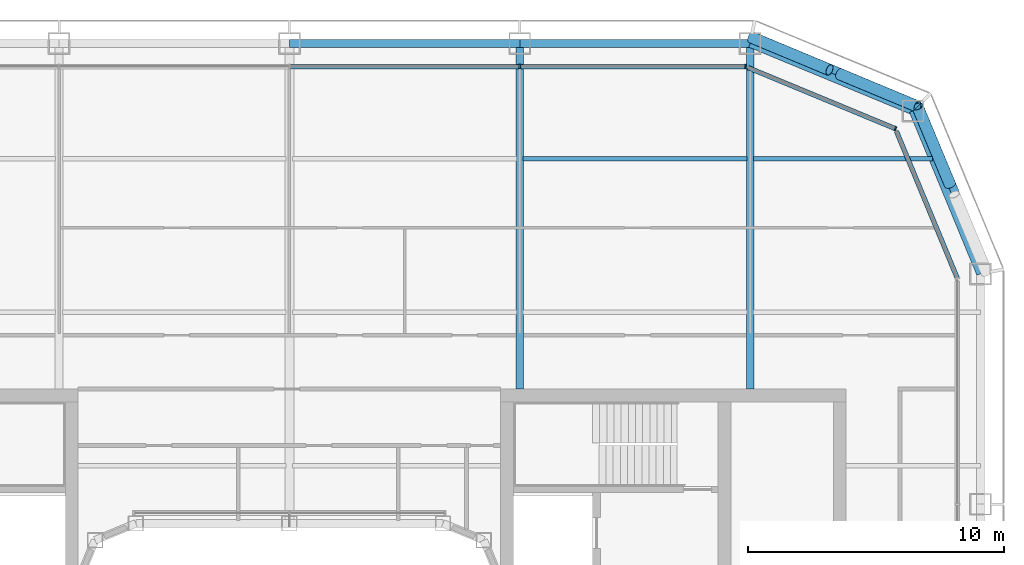
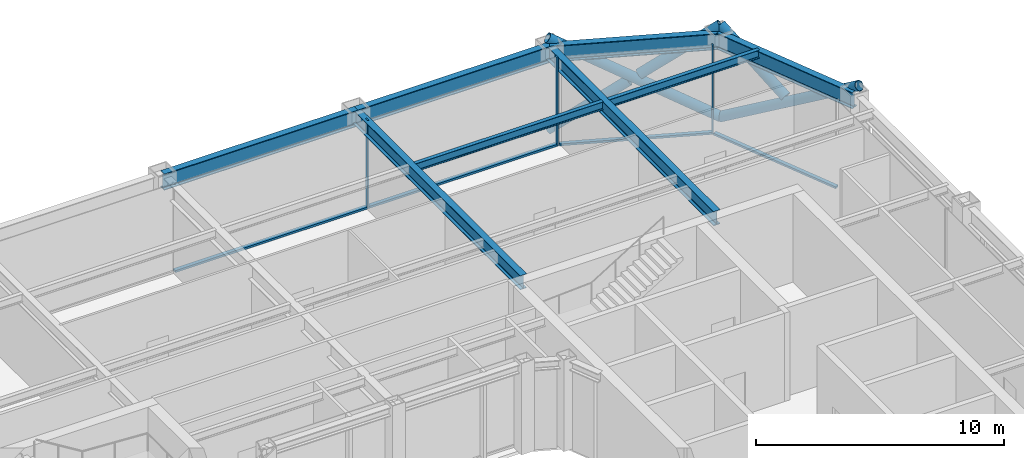
# One storey, part 10 of 19: 12 members, 8 beams, 3 elements without a shape of their own.
"""IFC4 building model written with IfcOpenShell, lengths in metres."""

from ifc_helpers import new_model, si_unit, direction, frame, origin, origin_2d, place, context, subcontext, project, spatial, rectangle, hollow_circle, i_section, extrude, material, layer, layer_set, material_profile, profile_set, type_object, element, aggregate, save


model = new_model("IFC4")

# Units and contexts
model_context = context("Model", 3, precision=1e-05, world=origin(), true_north=direction((0.0, 1.0)))
body_context = subcontext(model_context, "Body", "Model", "MODEL_VIEW")
ifc_project = project(units=[si_unit("LENGTHUNIT", "METRE"), si_unit("AREAUNIT", "SQUARE_METRE"), si_unit("VOLUMEUNIT", "CUBIC_METRE"), si_unit("PLANEANGLEUNIT", "RADIAN"), si_unit("MASSUNIT", "GRAM", prefix="KILO")], contexts=[model_context])

# Site, building, storey
site_placement = place(None, origin())
site = spatial("IfcSite", under=ifc_project, at=site_placement, CompositionType="ELEMENT")
building_placement = place(site_placement, origin())
building = spatial("IfcBuilding", under=site, at=building_placement, Name="Siwar Civic Tower", CompositionType="ELEMENT")
storey_placement = place(building_placement, frame((0.0, 0.0, 192.699951171875)))
storey = spatial("IfcBuildingStorey", under=building, at=storey_placement, Name="L41", CompositionType="ELEMENT", Elevation=192.699951171875)

# Curtain wall, member
ifc_material_1 = material(Name="Aluminium clad insulated panel", Category="aluminium")
ifc_layer_1 = layer(ifc_material_1, 0.179931640625)
ifc_layer_set_1 = layer_set([ifc_layer_1], Name="Aluminium clad insulated panel")
curtain_wall_type_1 = type_object("IfcCurtainWallType", Name="ENV-CW-CX", PredefinedType="NOTDEFINED", material=ifc_layer_set_1)
curtain_wall_1_placement = place(storey_placement, origin())
curtain_wall_1 = element("IfcCurtainWall", 1, at=curtain_wall_1_placement, inside=storey, type_object=curtain_wall_type_1, Name="Curtain wall C NE2", PredefinedType="NOTDEFINED")
ifc_material_2 = material(Name="Aluminium 6063-T6", Category="aluminium")
ifc_material_profile_1 = material_profile(ifc_material_2, rectangle(XDim=0.179931640625, YDim=0.06005859375, at=origin_2d()), Name="AL 180x60")
ifc_profile_set_1 = profile_set([ifc_material_profile_1], Name="Aluminium 6063-T6")
member_type_1 = type_object("IfcMemberType", Name="ENV-MULLION-C", PredefinedType="MULLION", material=ifc_profile_set_1)
member_1_placement = place(storey_placement, frame((23.675048828125, 23.675048828125, 0.0), z_axis=(0.0, 0.0, 1.0), x_axis=(-0.382683432365, -0.923879532511, 0.0)))
member_1 = element("IfcMember", 2, at=member_1_placement, type_object=member_type_1, Name="Mullion C NE2 1", PredefinedType="MULLION", context=body_context, shape_type="SweptSolid", body=[
    extrude(rectangle(XDim=0.179931640625, YDim=0.06005859375, at=origin_2d()), origin(), (0.0, 0.0, 1.0), 4.35009765625),
])

# Curtain wall, members
ifc_material_3 = material(Name="Aluminium and glass", Category="aluminium")
ifc_layer_2 = layer(ifc_material_3, 0.179931640625)
ifc_layer_set_2 = layer_set([ifc_layer_2], Name="Aluminium and glass")
curtain_wall_type_2 = type_object("IfcCurtainWallType", Name="ENV-CW-C", PredefinedType="NOTDEFINED", material=ifc_layer_set_2)
curtain_wall_2_placement = place(storey_placement, origin())
curtain_wall_2 = element("IfcCurtainWall", 3, at=curtain_wall_2_placement, inside=storey, type_object=curtain_wall_type_2, Name="Curtain wall C N", PredefinedType="NOTDEFINED")
member_2_placement = place(storey_placement, frame((17.821044921875, 26.10009765625, 0.0), z_axis=(0.0, 0.0, 1.0), x_axis=(0.0, -1.0, 0.0)))
member_2 = element("IfcMember", 4, at=member_2_placement, type_object=member_type_1, Name="Mullion C N 1", PredefinedType="MULLION", context=body_context, shape_type="SweptSolid", body=[
    extrude(rectangle(XDim=0.179931640625, YDim=0.06005859375, at=origin_2d()), origin(), (0.0, 0.0, 1.0), 4.35009765625),
])
member_3_placement = place(storey_placement, frame((9.0, 26.10009765625, 0.0), z_axis=(0.0, 0.0, 1.0), x_axis=(0.0, -1.0, 0.0)))
member_3 = element("IfcMember", 5, at=member_3_placement, type_object=member_type_1, Name="Mullion C N 2", PredefinedType="MULLION", context=body_context, shape_type="SweptSolid", body=[
    extrude(rectangle(XDim=0.179931640625, YDim=0.06005859375, at=origin_2d()), origin(), (0.0, 0.0, 1.0), 4.35009765625),
])

# Curtain wall, member
curtain_wall_3_placement = place(storey_placement, origin())
curtain_wall_3 = element("IfcCurtainWall", 6, at=curtain_wall_3_placement, inside=storey, type_object=curtain_wall_type_1, Name="Curtain wall C NE1", PredefinedType="NOTDEFINED")
ifc_material_4 = material(Name="Aluminium 6063-T6", Category="aluminium")
ifc_material_profile_2 = material_profile(ifc_material_4, rectangle(XDim=0.179931640625, YDim=0.10009765625, at=origin_2d()), Name="AL 180x100")
ifc_profile_set_2 = profile_set([ifc_material_profile_2], Name="Aluminium 6063-T6")
member_type_2 = type_object("IfcMemberType", Name="ENV-TRANSOM-C", PredefinedType="USERDEFINED", material=ifc_profile_set_2)
member_4_placement = place(storey_placement, frame((26.088623046875, 17.8486328125, 0.050048828125), z_axis=(-0.38267744817, 0.923882011223, 0.0), x_axis=(-0.923882011223, -0.38267744817, 0.0)))
member_4 = element("IfcMember", 7, at=member_4_placement, type_object=member_type_2, Name="Transom C NE1 1", ObjectType="TRANSOM", PredefinedType="USERDEFINED", context=body_context, shape_type="SweptSolid", body=[
    extrude(rectangle(XDim=0.179931640625, YDim=0.10009765625, at=origin_2d()), origin(), (0.0, 0.0, 1.0), 6.201904296875),
])
aggregate(curtain_wall_3, [member_4])

# Member
member_5_placement = place(storey_placement, frame((23.6474609375, 23.6865234375, 0.050048828125), z_axis=(-0.923876246063, 0.382691366456, 0.0), x_axis=(-0.382691366456, -0.923876246063, 0.0)))
member_5 = element("IfcMember", 8, at=member_5_placement, type_object=member_type_2, Name="Transom C NE2 1", ObjectType="TRANSOM", PredefinedType="USERDEFINED", context=body_context, shape_type="SweptSolid", body=[
    extrude(rectangle(XDim=0.179931640625, YDim=0.10009765625, at=origin_2d()), origin(), (0.0, 0.0, 1.0), 6.20166015625),
])

aggregate(curtain_wall_1, [member_1, member_5])

member_6_placement = place(storey_placement, frame((17.791015625, 26.10009765625, 0.050048828125), z_axis=(-1.0, 0.0, 0.0), x_axis=(0.0, -1.0, 0.0)))
member_6 = element("IfcMember", 9, at=member_6_placement, type_object=member_type_2, Name="Transom C N 1", ObjectType="TRANSOM", PredefinedType="USERDEFINED", context=body_context, shape_type="SweptSolid", body=[
    extrude(rectangle(XDim=0.179931640625, YDim=0.10009765625, at=origin_2d()), origin(), (0.0, 0.0, 1.0), 8.760986328125),
])

member_7_placement = place(storey_placement, frame((8.969970703125, 26.10009765625, 0.050048828125), z_axis=(-1.0, 0.0, 0.0), x_axis=(0.0, -1.0, 0.0)))
member_7 = element("IfcMember", 10, at=member_7_placement, type_object=member_type_2, Name="Transom C N 2", ObjectType="TRANSOM", PredefinedType="USERDEFINED", context=body_context, shape_type="SweptSolid", body=[
    extrude(rectangle(XDim=0.179931640625, YDim=0.10009765625, at=origin_2d()), origin(), (0.0, 0.0, 1.0), 8.93994140625),
])

aggregate(curtain_wall_2, [member_2, member_3, member_6, member_7])

# Members
ifc_material_5 = material(Name="Steel S355", Category="steel")
ifc_material_profile_3 = material_profile(ifc_material_5, hollow_circle(Radius=0.228515625, WallThickness=0.02001953125, at=origin_2d()), Name="CHS457x20")
ifc_profile_set_3 = profile_set([ifc_material_profile_3], Name="Steel S355")
member_type_3 = type_object("IfcMemberType", Name="STR-BR-CHS457x20", PredefinedType="BRACE", material=ifc_profile_set_3)
member_8_placement = place(storey_placement, frame((24.540771484375, 24.540771484375, 0.0), z_axis=(-0.777554562952, 0.323905527954, 0.538975055633), x_axis=(-0.384538969033, -0.923108759191, 0.0)))
element("IfcMember", 11, at=member_8_placement, inside=storey, type_object=member_type_3, Name="L41/brc/CNE1-1-0-1", PredefinedType="BRACE", context=body_context, shape_type="SweptSolid", body=[
    extrude(hollow_circle(Radius=0.228515625, WallThickness=0.02001953125, at=origin_2d()), origin(), (0.0, 0.0, 1.0), 8.34912109375),
])
for number, where, z_axis, x_axis, name in (
    (12, (18.048828125, 27.2451171875, 0.0), (0.777546448489, -0.323884455881, 0.538999424564), (0.38452107079, 0.92311621485, 0.0), "L41/brc/CNE1-1-0-2"),
    (13, (21.486572265625, 25.81298828125, 2.383056640625), (0.777572496853, -0.323895306243, 0.538955325357), (0.38452107079, 0.92311621485, 0.0), "L41/brc/CNE1-1-0-3"),
):
    element("IfcMember", number, at=place(storey_placement, frame(where, z_axis=z_axis, x_axis=x_axis)), inside=storey, type_object=member_type_3, Name=name, PredefinedType="BRACE", context=body_context, shape_type="SweptSolid", body=[
        extrude(hollow_circle(Radius=0.228515625, WallThickness=0.02001953125, at=origin_2d()), origin(), (0.0, 0.0, 1.0), 3.927978515625),
    ])
member_9_placement = place(storey_placement, frame((24.540771484375, 24.540771484375, 0.0), z_axis=(0.323905527954, -0.777554562952, 0.538975055633), x_axis=(0.923108759191, 0.384538969033, 0.0)))
element("IfcMember", 14, at=member_9_placement, inside=storey, type_object=member_type_3, Name="L41/brc/CNE1-1-0-0", PredefinedType="BRACE", context=body_context, shape_type="SweptSolid", body=[
    extrude(hollow_circle(Radius=0.228515625, WallThickness=0.02001953125, at=origin_2d()), origin(), (0.0, 0.0, 1.0), 8.34912109375),
])
member_10_placement = place(storey_placement, frame((25.81298828125, 21.486572265625, 2.383056640625), z_axis=(-0.323895306243, 0.777572496853, 0.538955325357), x_axis=(-0.92311621485, -0.38452107079, 0.0)))
element("IfcMember", 15, at=member_10_placement, inside=storey, type_object=member_type_3, Name="L41/brc/CNE1-1-0-5", PredefinedType="BRACE", context=body_context, shape_type="SweptSolid", body=[
    extrude(hollow_circle(Radius=0.228515625, WallThickness=0.02001953125, at=origin_2d()), origin(), (0.0, 0.0, 1.0), 3.927978515625),
])

# Beams
ifc_material_6 = material(Name="Steel S355", Category="steel")
ifc_material_profile_4 = material_profile(ifc_material_6, i_section(OverallWidth=0.179931640625, OverallDepth=0.39990234375, WebThickness=0.008544921875, FlangeThickness=0.013427734375, FilletRadius=0.02099609375, at=origin_2d()), Name="IPE400")
ifc_profile_set_4 = profile_set([ifc_material_profile_4], Name="Steel S355")
beam_type_1 = type_object("IfcBeamType", Name="STR-FB-IPE400", PredefinedType="JOIST", material=ifc_profile_set_4)
beam_1_placement = place(storey_placement, frame((9.1298828125, 22.5, 4.150146484375), z_axis=(1.0, 0.0, 0.0), x_axis=(0.0, 1.0, 0.0)))
element("IfcBeam", 16, at=beam_1_placement, inside=storey, type_object=beam_type_1, Name="L41/bm/F041", PredefinedType="JOIST", context=body_context, shape_type="SweptSolid", body=[
    extrude(i_section(OverallWidth=0.179931640625, OverallDepth=0.39990234375, WebThickness=0.008544921875, FlangeThickness=0.013427734375, FilletRadius=0.02099609375, at=origin_2d()), origin(), (0.0, 0.0, 1.0), 8.740234375),
])
beam_2_placement = place(storey_placement, frame((18.1298828125, 22.5, 4.150146484375), z_axis=(1.0, 0.0, 0.0), x_axis=(0.0, 1.0, 0.0)))
element("IfcBeam", 17, at=beam_2_placement, inside=storey, type_object=beam_type_1, Name="L41/bm/F042", PredefinedType="JOIST", context=body_context, shape_type="SweptSolid", body=[
    extrude(i_section(OverallWidth=0.179931640625, OverallDepth=0.39990234375, WebThickness=0.008544921875, FlangeThickness=0.013427734375, FilletRadius=0.02099609375, at=origin_2d()), origin(), (0.0, 0.0, 1.0), 7.006103515625),
])
ifc_material_7 = material(Name="Steel S355", Category="steel")
ifc_material_profile_5 = material_profile(ifc_material_7, i_section(OverallWidth=0.300048828125, OverallDepth=0.699951171875, WebThickness=0.01708984375, FlangeThickness=0.031982421875, FilletRadius=0.027099609375, at=origin_2d()), Name="HEB700")
ifc_profile_set_5 = profile_set([ifc_material_profile_5], Name="Steel S355")
beam_type_2 = type_object("IfcBeamType", Name="STR-PG-HEB700", PredefinedType="BEAM", material=ifc_profile_set_5)
for number, where, z_axis, x_axis, name in (
    (18, (9.0, 13.5, 4.0), (0.0, 1.0, 0.0), (-1.0, 0.0, 0.0), "L41/bm/G08"),
    (19, (18.0, 13.5, 4.0), (0.0, 1.0, 0.0), (-1.0, 0.0, 0.0), "L41/bm/G10"),
):
    element("IfcBeam", number, at=place(storey_placement, frame(where, z_axis=z_axis, x_axis=x_axis)), inside=storey, type_object=beam_type_2, Name=name, PredefinedType="BEAM", context=body_context, shape_type="SweptSolid", body=[
        extrude(i_section(OverallWidth=0.300048828125, OverallDepth=0.699951171875, WebThickness=0.01708984375, FlangeThickness=0.031982421875, FilletRadius=0.027099609375, at=origin_2d()), origin(), (0.0, 0.0, 1.0), 13.5),
    ])
ifc_material_8 = material(Name="Steel S355", Category="steel")
ifc_material_profile_6 = material_profile(ifc_material_8, i_section(OverallWidth=0.300048828125, OverallDepth=0.800048828125, WebThickness=0.017578125, FlangeThickness=0.032958984375, FilletRadius=0.030029296875, at=origin_2d()), Name="HEB800")
ifc_profile_set_6 = profile_set([ifc_material_profile_6], Name="Steel S355")
beam_type_3 = type_object("IfcBeamType", Name="STR-SB-HEB800", PredefinedType="BEAM", material=ifc_profile_set_6)
for number, where, z_axis, x_axis, name in (
    (20, (27.0, 18.0, 3.949951171875), (-0.382674207535, 0.923883353507, 0.0), (-0.923883353507, -0.382674207535, 0.0), "L41/bm/SNE1-0"),
    (21, (24.364013671875, 24.364013671875, 3.949951171875), (-0.923883353507, 0.382674207535, 0.0), (-0.382674207535, -0.923883353507, 0.0), "L41/bm/SNE2-0"),
):
    element("IfcBeam", number, at=place(storey_placement, frame(where, z_axis=z_axis, x_axis=x_axis)), inside=storey, type_object=beam_type_3, Name=name, PredefinedType="BEAM", context=body_context, shape_type="SweptSolid", body=[
        extrude(i_section(OverallWidth=0.300048828125, OverallDepth=0.800048828125, WebThickness=0.017578125, FlangeThickness=0.032958984375, FilletRadius=0.030029296875, at=origin_2d()), origin(), (0.0, 0.0, 1.0), 6.888427734375),
    ])
for number, where, z_axis, x_axis, name in (
    (22, (18.0, 27.0, 3.949951171875), (-1.0, 0.0, 0.0), (0.0, -1.0, 0.0), "L41/bm/SN-0"),
    (23, (9.0, 27.0, 3.949951171875), (-1.0, 0.0, 0.0), (0.0, -1.0, 0.0), "L41/bm/SN-1"),
):
    element("IfcBeam", number, at=place(storey_placement, frame(where, z_axis=z_axis, x_axis=x_axis)), inside=storey, type_object=beam_type_3, Name=name, PredefinedType="BEAM", context=body_context, shape_type="SweptSolid", body=[
        extrude(i_section(OverallWidth=0.300048828125, OverallDepth=0.800048828125, WebThickness=0.017578125, FlangeThickness=0.032958984375, FilletRadius=0.030029296875, at=origin_2d()), origin(), (0.0, 0.0, 1.0), 9.0),
    ])

save(model, "model.ifc")
